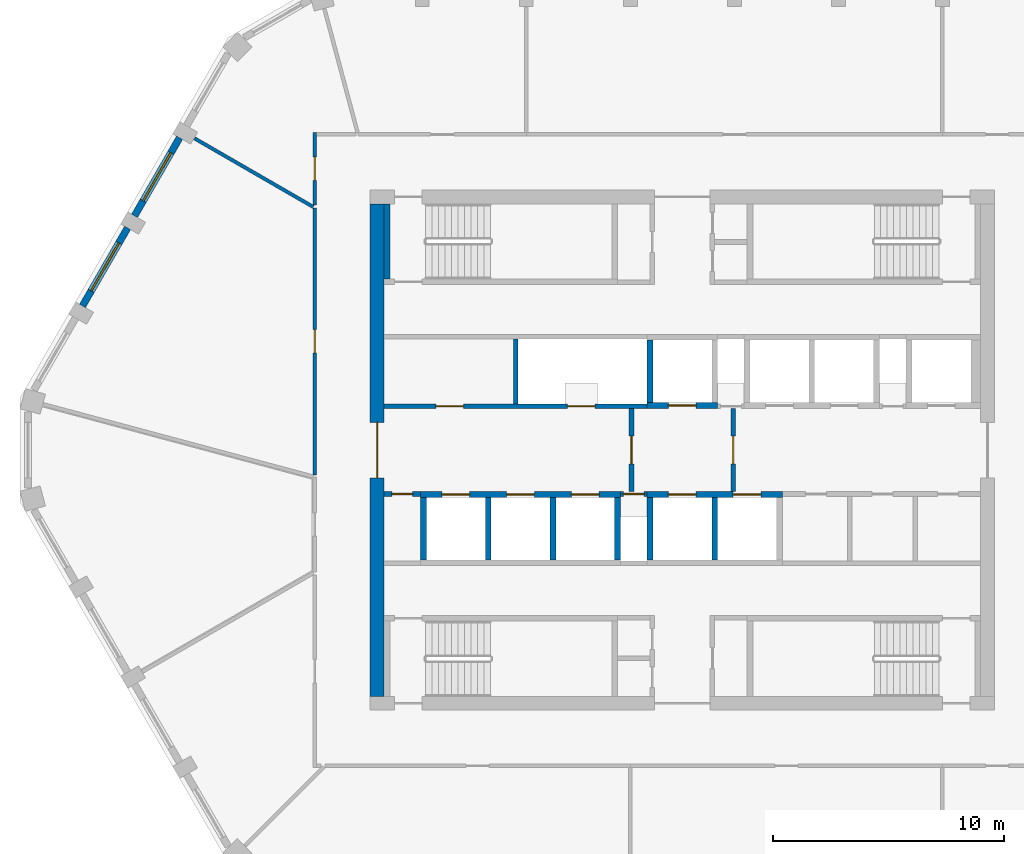
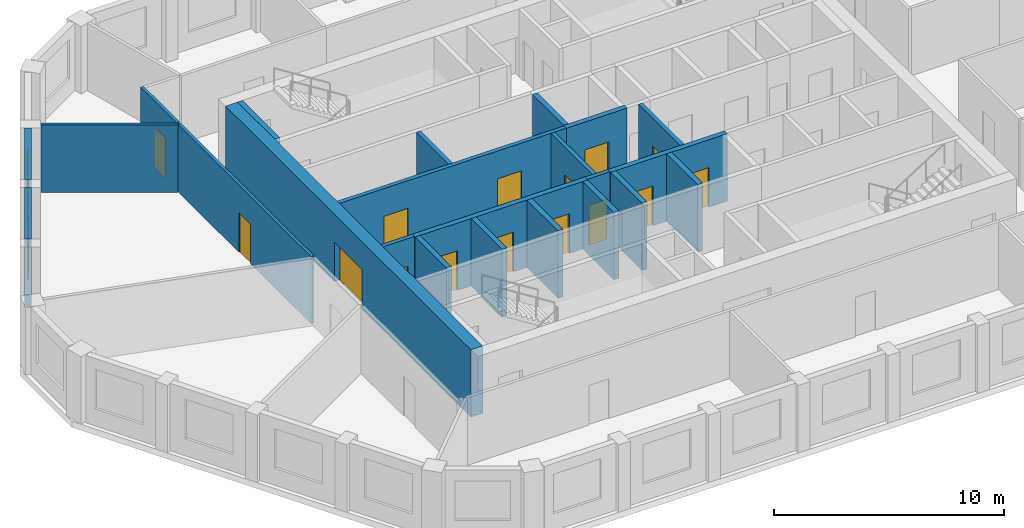
# One storey, part 3 of 9: 23 walls, 15 doors, 2 windows, 17 openings.
"""IFC4 building model written with IfcOpenShell, lengths in metres."""

from ifc_helpers import new_model, si_unit, direction, frame, frame_2d, origin, place, context, subcontext, project, spatial, polyline, rectangle, outline, extrude, material, layer, layer_set, type_object, element, fill, save


model = new_model("IFC4")

# Units and contexts
model_context = context("Model", 3, precision=1e-05, world=origin(), true_north=direction((0.0, 1.0)))
body_context = subcontext(model_context, "Body", "Model", "MODEL_VIEW")
ifc_project = project(units=[si_unit("LENGTHUNIT", "METRE"), si_unit("AREAUNIT", "SQUARE_METRE"), si_unit("VOLUMEUNIT", "CUBIC_METRE"), si_unit("PLANEANGLEUNIT", "RADIAN"), si_unit("MASSUNIT", "GRAM", prefix="KILO")], contexts=[model_context])

# Site, building, storey
site_placement = place(None, origin())
site = spatial("IfcSite", under=ifc_project, at=site_placement, CompositionType="ELEMENT")
building_placement = place(site_placement, origin())
building = spatial("IfcBuilding", under=site, at=building_placement, Name="Dhurran Vertical Campus", CompositionType="ELEMENT")
storey_placement = place(building_placement, frame((0.0, 0.0, 294.300048828125)))
storey = spatial("IfcBuildingStorey", under=building, at=storey_placement, Name="L73", CompositionType="ELEMENT", Elevation=294.300048828125)

# Wall, opening, window
ifc_material_1 = material(Name="Precast concrete C50/60", Category="concrete")
ifc_layer_1 = layer(ifc_material_1, 0.300048828125)
ifc_layer_set_1 = layer_set([ifc_layer_1], Name="Precast concrete C50/60")
wall_type_1 = type_object("IfcWallType", Name="Precast spandrel wall 300", PredefinedType="SOLIDWALL", material=ifc_layer_set_1)
wall_1_placement = place(storey_placement, frame((-21.744384765625, 13.506103515625, 0.0), z_axis=(0.0, 0.0, 1.0), x_axis=(-0.499984428715, -0.866034393683, 0.0)))
wall_1 = element("IfcWall", 1, at=wall_1_placement, inside=storey, type_object=wall_type_1, Name="EW1 L73.27", PredefinedType="SOLIDWALL", context=body_context, shape_type="SweptSolid", body=[
    extrude(rectangle(XDim=3.89892578125, YDim=0.300048828125, at=frame_2d((1.949462890625, 0.0))), origin(), (0.0, 0.0, 1.0), 3.574951171875),
])
opening_1_placement = place(wall_1_placement, frame((0.74951171875, 0.0, 0.89990234375)))
opening_1 = element("IfcOpeningElement", 2, at=opening_1_placement, cuts=wall_1, Name="Opening WT1", PredefinedType="OPENING", context=body_context, shape_type="SweptSolid", body=[
    extrude(rectangle(XDim=2.39990234375, YDim=2.10009765625, at=frame_2d((1.199951171875, 1.050048828125))), frame((0.0, 0.159912109375, 0.0), z_axis=(0.0, -1.0, 0.0), x_axis=(1.0, 0.0, 0.0)), (0.0, 0.0, 1.0), 0.320068359375),
])
ifc_material_2 = material(Name="Aluminium frame with solar-control glass", Category="aluminium")
window_type = type_object("IfcWindowType", Name="Punched window 2400 x 2100", PartitioningType="SINGLE_PANEL", PredefinedType="WINDOW", material=ifc_material_2)
window_1_placement = place(opening_1_placement, origin())
window_1 = element("IfcWindow", 3, at=window_1_placement, inside=storey, type_object=window_type, Name="WT1 L73.27", OverallHeight=2.10009765625, OverallWidth=2.39990234375, PartitioningType="SINGLE_PANEL", PredefinedType="WINDOW", context=body_context, shape_type="SweptSolid", body=[
    extrude(rectangle(XDim=2.39990234375, YDim=2.10009765625, at=frame_2d((1.199951171875, 1.050048828125))), frame((0.0, 0.030029296875, 0.0), z_axis=(0.0, -1.0, 0.0), x_axis=(1.0, 0.0, 0.0)), (0.0, 0.0, 1.0), 0.06005859375),
])
fill(opening_1, window_1)

wall_2_placement = place(storey_placement, frame((-23.994384765625, 9.60888671875, 0.0), z_axis=(0.0, 0.0, 1.0), x_axis=(-0.500011542666, -0.866018739521, 0.0)))
wall_2 = element("IfcWall", 4, at=wall_2_placement, inside=storey, type_object=wall_type_1, Name="EW1 L73.28", PredefinedType="SOLIDWALL", context=body_context, shape_type="SweptSolid", body=[
    extrude(rectangle(XDim=3.89892578125, YDim=0.300048828125, at=frame_2d((1.949462890625, 0.0))), origin(), (0.0, 0.0, 1.0), 3.574951171875),
])
opening_2_placement = place(wall_2_placement, frame((0.74951171875, 0.0, 0.89990234375)))
opening_2 = element("IfcOpeningElement", 5, at=opening_2_placement, cuts=wall_2, Name="Opening WT1", PredefinedType="OPENING", context=body_context, shape_type="SweptSolid", body=[
    extrude(rectangle(XDim=2.39990234375, YDim=2.10009765625, at=frame_2d((1.199951171875, 1.050048828125))), frame((0.0, 0.159912109375, 0.0), z_axis=(0.0, -1.0, 0.0), x_axis=(1.0, 0.0, 0.0)), (0.0, 0.0, 1.0), 0.320068359375),
])
window_2_placement = place(opening_2_placement, origin())
window_2 = element("IfcWindow", 6, at=window_2_placement, inside=storey, type_object=window_type, Name="WT1 L73.28", OverallHeight=2.10009765625, OverallWidth=2.39990234375, PartitioningType="SINGLE_PANEL", PredefinedType="WINDOW", context=body_context, shape_type="SweptSolid", body=[
    extrude(rectangle(XDim=2.39990234375, YDim=2.10009765625, at=frame_2d((1.199951171875, 1.050048828125))), frame((0.0, 0.030029296875, 0.0), z_axis=(0.0, -1.0, 0.0), x_axis=(1.0, 0.0, 0.0)), (0.0, 0.0, 1.0), 0.06005859375),
])
fill(opening_2, window_2)

# Wall, opening, door
ifc_material_3 = material(Name="Concrete C50/60", Category="concrete")
ifc_layer_2 = layer(ifc_material_3, 0.60009765625)
ifc_layer_set_2 = layer_set([ifc_layer_2], Name="Concrete C50/60")
wall_type_2 = type_object("IfcWallType", Name="co-CORE-WALL-C2-600", PredefinedType="SHEAR", material=ifc_layer_set_2)
wall_3_placement = place(storey_placement, frame((-13.199951171875, -10.64990234375, 0.0), z_axis=(0.0, 0.0, 1.0), x_axis=(0.0, 1.0, 0.0)))
wall_3 = element("IfcWall", 7, at=wall_3_placement, inside=storey, type_object=wall_type_2, Name="Core wall W L73", PredefinedType="SHEAR", context=body_context, shape_type="SweptSolid", body=[
    extrude(rectangle(XDim=21.2998046875, YDim=0.60009765625, at=frame_2d((10.64990234375, 0.0))), origin(), (0.0, 0.0, 1.0), 3.574951171875),
])
opening_3_placement = place(wall_3_placement, frame((9.449951171875, 0.0, 0.0)))
opening_3 = element("IfcOpeningElement", 8, at=opening_3_placement, cuts=wall_3, Name="Opening CL1", PredefinedType="OPENING", context=body_context, shape_type="SweptSolid", body=[
    extrude(rectangle(XDim=2.39990234375, YDim=2.10009765625, at=frame_2d((1.199951171875, 1.050048828125))), frame((0.0, 0.31005859375, 0.0), z_axis=(0.0, -1.0, 0.0), x_axis=(1.0, 0.0, 0.0)), (0.0, 0.0, 1.0), 0.6201171875),
])
ifc_material_4 = material(Name="Fire-rated glazed door set")
door_type_1 = type_object("IfcDoorType", Name="co-D-LOBBY 2400x2100", OperationType="DOUBLE_DOOR_DOUBLE_SWING", PredefinedType="DOOR", material=ifc_material_4)
door_1_placement = place(opening_3_placement, origin())
door_1 = element("IfcDoor", 9, at=door_1_placement, inside=storey, type_object=door_type_1, Name="Lift lobby door W L73", OperationType="DOUBLE_DOOR_DOUBLE_SWING", OverallHeight=2.10009765625, OverallWidth=2.39990234375, PredefinedType="DOOR", context=body_context, shape_type="SweptSolid", body=[
    extrude(rectangle(XDim=2.39990234375, YDim=2.10009765625, at=frame_2d((1.199951171875, 1.050048828125))), frame((0.0, 0.02490234375, 0.0), z_axis=(0.0, -1.0, 0.0), x_axis=(1.0, 0.0, 0.0)), (0.0, 0.0, 1.0), 0.050048828125),
])
fill(opening_3, door_1)

ifc_material_5 = material(Name="Fire-rated masonry blockwork", Category="masonry")
ifc_layer_3 = layer(ifc_material_5, 0.199951171875)
ifc_layer_set_3 = layer_set([ifc_layer_3], Name="Fire-rated masonry blockwork")
wall_type_3 = type_object("IfcWallType", Name="co-FIRE-PARTITION-200", PredefinedType="PARTITIONING", material=ifc_layer_set_3)
wall_4_placement = place(storey_placement, frame((-2.199951171875, -1.800048828125, 0.0), z_axis=(0.0, 0.0, 1.0), x_axis=(0.0, 1.0, 0.0)))
wall_4 = element("IfcWall", 10, at=wall_4_placement, inside=storey, type_object=wall_type_3, Name="Firefighting lobby wall W L73", PredefinedType="PARTITIONING", context=body_context, shape_type="SweptSolid", body=[
    extrude(rectangle(XDim=3.60009765625, YDim=0.199951171875, at=frame_2d((1.800048828125, 0.0))), origin(), (0.0, 0.0, 1.0), 3.574951171875),
])
opening_4_placement = place(wall_4_placement, frame((1.199951171875, 0.0, 0.0)))
opening_4 = element("IfcOpeningElement", 11, at=opening_4_placement, cuts=wall_4, Name="Opening FL1", PredefinedType="OPENING", context=body_context, shape_type="SweptSolid", body=[
    extrude(rectangle(XDim=1.199951171875, YDim=2.10009765625, at=frame_2d((0.60009765625, 1.050048828125))), frame((0.0, 0.10986328125, 0.0), z_axis=(0.0, -1.0, 0.0), x_axis=(1.0, 0.0, 0.0)), (0.0, 0.0, 1.0), 0.219970703125),
])
ifc_material_6 = material(Name="Fire-rated steel door set", Category="steel")
door_type_2 = type_object("IfcDoorType", Name="co-D-FFLOBBY 1200x2100", OperationType="SINGLE_SWING_LEFT", PredefinedType="DOOR", material=ifc_material_6)
door_2_placement = place(opening_4_placement, origin())
door_2 = element("IfcDoor", 12, at=door_2_placement, inside=storey, type_object=door_type_2, Name="Firefighting lobby door W L73", OperationType="SINGLE_SWING_LEFT", OverallHeight=2.10009765625, OverallWidth=1.199951171875, PredefinedType="DOOR", context=body_context, shape_type="SweptSolid", body=[
    extrude(rectangle(XDim=1.199951171875, YDim=2.10009765625, at=frame_2d((0.60009765625, 1.050048828125))), frame((0.0, 0.02490234375, 0.0), z_axis=(0.0, -1.0, 0.0), x_axis=(1.0, 0.0, 0.0)), (0.0, 0.0, 1.0), 0.050048828125),
])
fill(opening_4, door_2)

wall_5_placement = place(storey_placement, frame((2.199951171875, -1.800048828125, 0.0), z_axis=(0.0, 0.0, 1.0), x_axis=(0.0, 1.0, 0.0)))
wall_5 = element("IfcWall", 13, at=wall_5_placement, inside=storey, type_object=wall_type_3, Name="Firefighting lobby wall E L73", PredefinedType="PARTITIONING", context=body_context, shape_type="SweptSolid", body=[
    extrude(rectangle(XDim=3.60009765625, YDim=0.199951171875, at=frame_2d((1.800048828125, 0.0))), origin(), (0.0, 0.0, 1.0), 3.574951171875),
])
opening_5_placement = place(wall_5_placement, frame((1.199951171875, 0.0, 0.0)))
opening_5 = element("IfcOpeningElement", 14, at=opening_5_placement, cuts=wall_5, Name="Opening FL2", PredefinedType="OPENING", context=body_context, shape_type="SweptSolid", body=[
    extrude(rectangle(XDim=1.199951171875, YDim=2.10009765625, at=frame_2d((0.60009765625, 1.050048828125))), frame((0.0, 0.10986328125, 0.0), z_axis=(0.0, -1.0, 0.0), x_axis=(1.0, 0.0, 0.0)), (0.0, 0.0, 1.0), 0.219970703125),
])
door_3_placement = place(opening_5_placement, origin())
door_3 = element("IfcDoor", 15, at=door_3_placement, inside=storey, type_object=door_type_2, Name="Firefighting lobby door E L73", OperationType="SINGLE_SWING_LEFT", OverallHeight=2.10009765625, OverallWidth=1.199951171875, PredefinedType="DOOR", context=body_context, shape_type="SweptSolid", body=[
    extrude(rectangle(XDim=1.199951171875, YDim=2.10009765625, at=frame_2d((0.60009765625, 1.050048828125))), frame((0.0, 0.02490234375, 0.0), z_axis=(0.0, -1.0, 0.0), x_axis=(1.0, 0.0, 0.0)), (0.0, 0.0, 1.0), 0.050048828125),
])
fill(opening_5, door_3)

# Wall
wall_6_placement = place(storey_placement, frame((-7.21240234375, 2.0, 0.0), z_axis=(0.0, 0.0, 1.0), x_axis=(0.0, 1.0, 0.0)))
element("IfcWall", 16, at=wall_6_placement, inside=storey, type_object=wall_type_3, Name="Core partition fr-N0-cut0 L73", PredefinedType="PARTITIONING", context=body_context, shape_type="SweptSolid", body=[
    extrude(rectangle(XDim=2.800048828125, YDim=0.199951171875, at=frame_2d((1.39990234375, 0.0))), origin(), (0.0, 0.0, 1.0), 3.574951171875),
])

# Wall, openings, doors
wall_7_placement = place(storey_placement, frame((-12.89990234375, 1.89990234375, 0.0), z_axis=(0.0, 0.0, 1.0), x_axis=(1.0, 0.0, 0.0)))
wall_7 = element("IfcWall", 17, at=wall_7_placement, inside=storey, type_object=wall_type_3, Name="Core partition fr-N0-f L73", PredefinedType="PARTITIONING", context=body_context, shape_type="SweptSolid", body=[
    extrude(rectangle(XDim=11.375, YDim=0.199951171875, at=frame_2d((5.6875, 0.0))), origin(), (0.0, 0.0, 1.0), 3.574951171875),
])
opening_6_placement = place(wall_7_placement, frame((2.243896484375, 0.0, 0.0)))
opening_6 = element("IfcOpeningElement", 18, at=opening_6_placement, cuts=wall_7, Name="Opening T21-C7", PredefinedType="OPENING", context=body_context, shape_type="SweptSolid", body=[
    extrude(rectangle(XDim=1.199951171875, YDim=2.10009765625, at=frame_2d((0.60009765625, 1.050048828125))), frame((0.0, 0.10986328125, 0.0), z_axis=(0.0, -1.0, 0.0), x_axis=(1.0, 0.0, 0.0)), (0.0, 0.0, 1.0), 0.219970703125),
])
opening_7_placement = place(wall_7_placement, frame((7.931396484375, 0.0, 0.0)))
opening_7 = element("IfcOpeningElement", 19, at=opening_7_placement, cuts=wall_7, Name="Opening T21-C8", PredefinedType="OPENING", context=body_context, shape_type="SweptSolid", body=[
    extrude(rectangle(XDim=1.199951171875, YDim=2.10009765625, at=frame_2d((0.60009765625, 1.050048828125))), frame((0.0, 0.10986328125, 0.0), z_axis=(0.0, -1.0, 0.0), x_axis=(1.0, 0.0, 0.0)), (0.0, 0.0, 1.0), 0.219970703125),
])
ifc_material_7 = material(Name="Fire-rated steel door set", Category="steel")
door_type_3 = type_object("IfcDoorType", Name="co-D-ROOM-PASSAGE 1200x2100", OperationType="SINGLE_SWING_RIGHT", PredefinedType="DOOR", material=ifc_material_7)
door_4_placement = place(opening_6_placement, origin())
door_4 = element("IfcDoor", 20, at=door_4_placement, inside=storey, type_object=door_type_3, Name="Store door L73", OperationType="SINGLE_SWING_RIGHT", OverallHeight=2.10009765625, OverallWidth=1.199951171875, PredefinedType="DOOR", context=body_context, shape_type="SweptSolid", body=[
    extrude(rectangle(XDim=1.199951171875, YDim=2.10009765625, at=frame_2d((0.60009765625, 1.050048828125))), frame((0.0, 0.02490234375, 0.0), z_axis=(0.0, -1.0, 0.0), x_axis=(1.0, 0.0, 0.0)), (0.0, 0.0, 1.0), 0.050048828125),
])
fill(opening_6, door_4)
door_5_placement = place(opening_7_placement, origin())
door_5 = element("IfcDoor", 21, at=door_5_placement, inside=storey, type_object=door_type_3, Name="Electrical riser door L73", OperationType="SINGLE_SWING_RIGHT", OverallHeight=2.10009765625, OverallWidth=1.199951171875, PredefinedType="DOOR", context=body_context, shape_type="SweptSolid", body=[
    extrude(rectangle(XDim=1.199951171875, YDim=2.10009765625, at=frame_2d((0.60009765625, 1.050048828125))), frame((0.0, 0.02490234375, 0.0), z_axis=(0.0, -1.0, 0.0), x_axis=(1.0, 0.0, 0.0)), (0.0, 0.0, 1.0), 0.050048828125),
])
fill(opening_7, door_5)

# Wall, opening, door
wall_8_placement = place(storey_placement, frame((-12.89990234375, -1.89990234375, 0.0), z_axis=(0.0, 0.0, 1.0), x_axis=(1.0, 0.0, 0.0)))
wall_8 = element("IfcWall", 22, at=wall_8_placement, inside=storey, type_object=wall_type_3, Name="Core partition fr-S0-f L73", PredefinedType="PARTITIONING", context=body_context, shape_type="SweptSolid", body=[
    extrude(rectangle(XDim=1.574951171875, YDim=0.199951171875, at=frame_2d((0.78759765625, 0.0))), origin(), (0.0, 0.0, 1.0), 3.574951171875),
])
opening_8_placement = place(wall_8_placement, frame((0.33740234375, 0.0, 0.0)))
opening_8 = element("IfcOpeningElement", 23, at=opening_8_placement, cuts=wall_8, Name="Opening T21-C11", PredefinedType="OPENING", context=body_context, shape_type="SweptSolid", body=[
    extrude(rectangle(XDim=0.89990234375, YDim=2.10009765625, at=frame_2d((0.449951171875, 1.050048828125))), frame((0.0, 0.10986328125, 0.0), z_axis=(0.0, -1.0, 0.0), x_axis=(1.0, 0.0, 0.0)), (0.0, 0.0, 1.0), 0.219970703125),
])
ifc_material_8 = material(Name="Fire-rated timber door set", Category="wood")
door_type_4 = type_object("IfcDoorType", Name="co-D-ROOM 900x2100", OperationType="SINGLE_SWING_LEFT", PredefinedType="DOOR", material=ifc_material_8)
door_6_placement = place(opening_8_placement, origin())
door_6 = element("IfcDoor", 24, at=door_6_placement, inside=storey, type_object=door_type_4, Name="Cleaner's store door L73", OperationType="SINGLE_SWING_LEFT", OverallHeight=2.10009765625, OverallWidth=0.89990234375, PredefinedType="DOOR", context=body_context, shape_type="SweptSolid", body=[
    extrude(rectangle(XDim=0.89990234375, YDim=2.10009765625, at=frame_2d((0.449951171875, 1.050048828125))), frame((0.0, 0.02490234375, 0.0), z_axis=(0.0, -1.0, 0.0), x_axis=(1.0, 0.0, 0.0)), (0.0, 0.0, 1.0), 0.050048828125),
])
fill(opening_8, door_6)

wall_9_placement = place(storey_placement, frame((-2.675048828125, -1.89990234375, 0.0), z_axis=(0.0, 0.0, 1.0), x_axis=(1.0, 0.0, 0.0)))
wall_9 = element("IfcWall", 25, at=wall_9_placement, inside=storey, type_object=wall_type_3, Name="Core partition fr-S1-f L73", PredefinedType="PARTITIONING", context=body_context, shape_type="SweptSolid", body=[
    extrude(rectangle(XDim=1.150146484375, YDim=0.199951171875, at=frame_2d((0.5751953125, 0.0))), origin(), (0.0, 0.0, 1.0), 3.574951171875),
])
opening_9_placement = place(wall_9_placement, frame((0.125, 0.0, 0.0)))
opening_9 = element("IfcOpeningElement", 26, at=opening_9_placement, cuts=wall_9, Name="Opening T21-C12", PredefinedType="OPENING", context=body_context, shape_type="SweptSolid", body=[
    extrude(rectangle(XDim=0.89990234375, YDim=2.10009765625, at=frame_2d((0.449951171875, 1.050048828125))), frame((0.0, 0.10986328125, 0.0), z_axis=(0.0, -1.0, 0.0), x_axis=(1.0, 0.0, 0.0)), (0.0, 0.0, 1.0), 0.219970703125),
])
door_7_placement = place(opening_9_placement, origin())
door_7 = element("IfcDoor", 27, at=door_7_placement, inside=storey, type_object=door_type_4, Name="Electrical riser door L73", OperationType="SINGLE_SWING_LEFT", OverallHeight=2.10009765625, OverallWidth=0.89990234375, PredefinedType="DOOR", context=body_context, shape_type="SweptSolid", body=[
    extrude(rectangle(XDim=0.89990234375, YDim=2.10009765625, at=frame_2d((0.449951171875, 1.050048828125))), frame((0.0, 0.02490234375, 0.0), z_axis=(0.0, -1.0, 0.0), x_axis=(1.0, 0.0, 0.0)), (0.0, 0.0, 1.0), 0.050048828125),
])
fill(opening_9, door_7)

ifc_material_9 = material(Name="Concrete C50/60", Category="concrete")
ifc_layer_4 = layer(ifc_material_9, 0.25)
ifc_layer_set_4 = layer_set([ifc_layer_4], Name="Concrete C50/60")
wall_type_4 = type_object("IfcWallType", Name="co-SHAFT-FRONT-250", PredefinedType="SHEAR", material=ifc_layer_set_4)
wall_10_placement = place(storey_placement, frame((-1.52490234375, 1.925048828125, 0.0), z_axis=(0.0, 0.0, 1.0), x_axis=(1.0, 0.0, 0.0)))
wall_10 = element("IfcWall", 28, at=wall_10_placement, inside=storey, type_object=wall_type_4, Name="Lift landing wall N L73", PredefinedType="SHEAR", context=body_context, shape_type="SweptSolid", body=[
    extrude(rectangle(XDim=3.0498046875, YDim=0.25, at=frame_2d((1.52490234375, 0.0))), origin(), (0.0, 0.0, 1.0), 3.574951171875),
])
opening_10_placement = place(wall_10_placement, frame((0.925048828125, 0.0, 0.0)))
opening_10 = element("IfcOpeningElement", 29, at=opening_10_placement, cuts=wall_10, Name="Opening LD", PredefinedType="OPENING", context=body_context, shape_type="SweptSolid", body=[
    extrude(rectangle(XDim=1.199951171875, YDim=2.10009765625, at=frame_2d((0.60009765625, 1.050048828125))), frame((0.0, 0.135009765625, 0.0), z_axis=(0.0, -1.0, 0.0), x_axis=(1.0, 0.0, 0.0)), (0.0, 0.0, 1.0), 0.27001953125),
])
ifc_material_10 = material(Name="Stainless steel landing door", Category="steel")
door_type_5 = type_object("IfcDoorType", Name="co-D-LANDING 1200x2100", OperationType="DOUBLE_DOOR_SLIDING", PredefinedType="DOOR", material=ifc_material_10)
door_8_placement = place(opening_10_placement, origin())
door_8 = element("IfcDoor", 30, at=door_8_placement, inside=storey, type_object=door_type_5, Name="Landing door FF1 L73", OperationType="DOUBLE_DOOR_SLIDING", OverallHeight=2.10009765625, OverallWidth=1.199951171875, PredefinedType="DOOR", context=body_context, shape_type="SweptSolid", body=[
    extrude(rectangle(XDim=1.199951171875, YDim=2.10009765625, at=frame_2d((0.60009765625, 1.050048828125))), frame((0.0, 0.02490234375, 0.0), z_axis=(0.0, -1.0, 0.0), x_axis=(1.0, 0.0, 0.0)), (0.0, 0.0, 1.0), 0.050048828125),
])
fill(opening_10, door_8)

# Wall, openings, doors
wall_11_placement = place(storey_placement, frame((-11.324951171875, -1.925048828125, 0.0), z_axis=(0.0, 0.0, 1.0), x_axis=(1.0, 0.0, 0.0)))
wall_11 = element("IfcWall", 31, at=wall_11_placement, inside=storey, type_object=wall_type_4, Name="Lift landing wall S L73", PredefinedType="SHEAR", context=body_context, shape_type="SweptSolid", body=[
    extrude(rectangle(XDim=8.64990234375, YDim=0.25, at=frame_2d((4.324951171875, 0.0))), origin(), (0.0, 0.0, 1.0), 3.574951171875),
])
opening_11_placement = place(wall_11_placement, frame((0.925048828125, 0.0, 0.0)))
opening_11 = element("IfcOpeningElement", 32, at=opening_11_placement, cuts=wall_11, Name="Opening LD", PredefinedType="OPENING", context=body_context, shape_type="SweptSolid", body=[
    extrude(rectangle(XDim=1.199951171875, YDim=2.10009765625, at=frame_2d((0.60009765625, 1.050048828125))), frame((0.0, 0.135009765625, 0.0), z_axis=(0.0, -1.0, 0.0), x_axis=(1.0, 0.0, 0.0)), (0.0, 0.0, 1.0), 0.27001953125),
])
opening_12_placement = place(wall_11_placement, frame((3.72509765625, 0.0, 0.0)))
opening_12 = element("IfcOpeningElement", 33, at=opening_12_placement, cuts=wall_11, Name="Opening LD", PredefinedType="OPENING", context=body_context, shape_type="SweptSolid", body=[
    extrude(rectangle(XDim=1.199951171875, YDim=2.10009765625, at=frame_2d((0.60009765625, 1.050048828125))), frame((0.0, 0.135009765625, 0.0), z_axis=(0.0, -1.0, 0.0), x_axis=(1.0, 0.0, 0.0)), (0.0, 0.0, 1.0), 0.27001953125),
])
opening_13_placement = place(wall_11_placement, frame((6.52490234375, 0.0, 0.0)))
opening_13 = element("IfcOpeningElement", 34, at=opening_13_placement, cuts=wall_11, Name="Opening LD", PredefinedType="OPENING", context=body_context, shape_type="SweptSolid", body=[
    extrude(rectangle(XDim=1.199951171875, YDim=2.10009765625, at=frame_2d((0.60009765625, 1.050048828125))), frame((0.0, 0.135009765625, 0.0), z_axis=(0.0, -1.0, 0.0), x_axis=(1.0, 0.0, 0.0)), (0.0, 0.0, 1.0), 0.27001953125),
])
door_9_placement = place(opening_11_placement, origin())
door_9 = element("IfcDoor", 35, at=door_9_placement, inside=storey, type_object=door_type_5, Name="Landing door HR3 L73", OperationType="DOUBLE_DOOR_SLIDING", OverallHeight=2.10009765625, OverallWidth=1.199951171875, PredefinedType="DOOR", context=body_context, shape_type="SweptSolid", body=[
    extrude(rectangle(XDim=1.199951171875, YDim=2.10009765625, at=frame_2d((0.60009765625, 1.050048828125))), frame((0.0, 0.02490234375, 0.0), z_axis=(0.0, -1.0, 0.0), x_axis=(1.0, 0.0, 0.0)), (0.0, 0.0, 1.0), 0.050048828125),
])
fill(opening_11, door_9)
door_10_placement = place(opening_12_placement, origin())
door_10 = element("IfcDoor", 36, at=door_10_placement, inside=storey, type_object=door_type_5, Name="Landing door HR4 L73", OperationType="DOUBLE_DOOR_SLIDING", OverallHeight=2.10009765625, OverallWidth=1.199951171875, PredefinedType="DOOR", context=body_context, shape_type="SweptSolid", body=[
    extrude(rectangle(XDim=1.199951171875, YDim=2.10009765625, at=frame_2d((0.60009765625, 1.050048828125))), frame((0.0, 0.02490234375, 0.0), z_axis=(0.0, -1.0, 0.0), x_axis=(1.0, 0.0, 0.0)), (0.0, 0.0, 1.0), 0.050048828125),
])
fill(opening_12, door_10)
door_11_placement = place(opening_13_placement, origin())
door_11 = element("IfcDoor", 37, at=door_11_placement, inside=storey, type_object=door_type_5, Name="Landing door HR5 L73", OperationType="DOUBLE_DOOR_SLIDING", OverallHeight=2.10009765625, OverallWidth=1.199951171875, PredefinedType="DOOR", context=body_context, shape_type="SweptSolid", body=[
    extrude(rectangle(XDim=1.199951171875, YDim=2.10009765625, at=frame_2d((0.60009765625, 1.050048828125))), frame((0.0, 0.02490234375, 0.0), z_axis=(0.0, -1.0, 0.0), x_axis=(1.0, 0.0, 0.0)), (0.0, 0.0, 1.0), 0.050048828125),
])
fill(opening_13, door_11)

wall_12_placement = place(storey_placement, frame((-1.52490234375, -1.925048828125, 0.0), z_axis=(0.0, 0.0, 1.0), x_axis=(1.0, 0.0, 0.0)))
wall_12 = element("IfcWall", 38, at=wall_12_placement, inside=storey, type_object=wall_type_4, Name="Lift landing wall S L73", PredefinedType="SHEAR", context=body_context, shape_type="SweptSolid", body=[
    extrude(rectangle(XDim=5.849853515625, YDim=0.25, at=frame_2d((2.9248046875, 0.0))), origin(), (0.0, 0.0, 1.0), 3.574951171875),
])
opening_14_placement = place(wall_12_placement, frame((0.925048828125, 0.0, 0.0)))
opening_14 = element("IfcOpeningElement", 39, at=opening_14_placement, cuts=wall_12, Name="Opening LD", PredefinedType="OPENING", context=body_context, shape_type="SweptSolid", body=[
    extrude(rectangle(XDim=1.199951171875, YDim=2.10009765625, at=frame_2d((0.60009765625, 1.050048828125))), frame((0.0, 0.135009765625, 0.0), z_axis=(0.0, -1.0, 0.0), x_axis=(1.0, 0.0, 0.0)), (0.0, 0.0, 1.0), 0.27001953125),
])
opening_15_placement = place(wall_12_placement, frame((3.72509765625, 0.0, 0.0)))
opening_15 = element("IfcOpeningElement", 40, at=opening_15_placement, cuts=wall_12, Name="Opening LD", PredefinedType="OPENING", context=body_context, shape_type="SweptSolid", body=[
    extrude(rectangle(XDim=1.199951171875, YDim=2.10009765625, at=frame_2d((0.60009765625, 1.050048828125))), frame((0.0, 0.135009765625, 0.0), z_axis=(0.0, -1.0, 0.0), x_axis=(1.0, 0.0, 0.0)), (0.0, 0.0, 1.0), 0.27001953125),
])
door_12_placement = place(opening_14_placement, origin())
door_12 = element("IfcDoor", 41, at=door_12_placement, inside=storey, type_object=door_type_5, Name="Landing door FF2 L73", OperationType="DOUBLE_DOOR_SLIDING", OverallHeight=2.10009765625, OverallWidth=1.199951171875, PredefinedType="DOOR", context=body_context, shape_type="SweptSolid", body=[
    extrude(rectangle(XDim=1.199951171875, YDim=2.10009765625, at=frame_2d((0.60009765625, 1.050048828125))), frame((0.0, 0.02490234375, 0.0), z_axis=(0.0, -1.0, 0.0), x_axis=(1.0, 0.0, 0.0)), (0.0, 0.0, 1.0), 0.050048828125),
])
fill(opening_14, door_12)
door_13_placement = place(opening_15_placement, origin())
door_13 = element("IfcDoor", 42, at=door_13_placement, inside=storey, type_object=door_type_5, Name="Landing door SV1 L73", OperationType="DOUBLE_DOOR_SLIDING", OverallHeight=2.10009765625, OverallWidth=1.199951171875, PredefinedType="DOOR", context=body_context, shape_type="SweptSolid", body=[
    extrude(rectangle(XDim=1.199951171875, YDim=2.10009765625, at=frame_2d((0.60009765625, 1.050048828125))), frame((0.0, 0.02490234375, 0.0), z_axis=(0.0, -1.0, 0.0), x_axis=(1.0, 0.0, 0.0)), (0.0, 0.0, 1.0), 0.050048828125),
])
fill(opening_15, door_13)

# Walls
ifc_material_11 = material(Name="Concrete C50/60", Category="concrete")
ifc_layer_5 = layer(ifc_material_11, 0.25)
ifc_layer_set_5 = layer_set([ifc_layer_5], Name="Concrete C50/60")
wall_type_5 = type_object("IfcWallType", Name="co-SHAFT-MASS-250", PredefinedType="SHEAR", material=ifc_layer_set_5)
wall_13_placement = place(storey_placement, origin())
element("IfcWall", 43, at=wall_13_placement, inside=storey, type_object=wall_type_5, Name="Lift shaft wall N L73 4", PredefinedType="SHEAR", context=body_context, shape_type="SweptSolid", body=[
    extrude(outline(polyline([(-1.52490234375, 2.050048828125), (-1.27490234375, 2.050048828125), (-1.27490234375, 4.75), (-1.52490234375, 4.75), (-1.52490234375, 2.050048828125)])), origin(), (0.0, 0.0, 1.0), 3.574951171875),
])
wall_14_placement = place(storey_placement, origin())
element("IfcWall", 44, at=wall_14_placement, inside=storey, type_object=wall_type_5, Name="Lift shaft wall S L73 3", PredefinedType="SHEAR", context=body_context, shape_type="SweptSolid", body=[
    extrude(outline(polyline([(-11.324951171875, -4.75), (-11.074951171875, -4.75), (-11.074951171875, -2.050048828125), (-11.324951171875, -2.050048828125), (-11.324951171875, -4.75)])), origin(), (0.0, 0.0, 1.0), 3.574951171875),
])
wall_15_placement = place(storey_placement, origin())
element("IfcWall", 45, at=wall_15_placement, inside=storey, type_object=wall_type_5, Name="Lift shaft wall S L73 4", PredefinedType="SHEAR", context=body_context, shape_type="SweptSolid", body=[
    extrude(outline(polyline([(-8.52490234375, -4.75), (-8.27490234375, -4.75), (-8.27490234375, -2.050048828125), (-8.52490234375, -2.050048828125), (-8.52490234375, -4.75)])), origin(), (0.0, 0.0, 1.0), 3.574951171875),
])
wall_16_placement = place(storey_placement, origin())
element("IfcWall", 46, at=wall_16_placement, inside=storey, type_object=wall_type_5, Name="Lift shaft wall S L73 5", PredefinedType="SHEAR", context=body_context, shape_type="SweptSolid", body=[
    extrude(outline(polyline([(-5.72509765625, -4.75), (-5.47509765625, -4.75), (-5.47509765625, -2.050048828125), (-5.72509765625, -2.050048828125), (-5.72509765625, -4.75)])), origin(), (0.0, 0.0, 1.0), 3.574951171875),
])
wall_17_placement = place(storey_placement, origin())
element("IfcWall", 47, at=wall_17_placement, inside=storey, type_object=wall_type_5, Name="Lift shaft wall S L73 6", PredefinedType="SHEAR", context=body_context, shape_type="SweptSolid", body=[
    extrude(outline(polyline([(-2.925048828125, -4.75), (-2.675048828125, -4.75), (-2.675048828125, -2.050048828125), (-2.925048828125, -2.050048828125), (-2.925048828125, -4.75)])), origin(), (0.0, 0.0, 1.0), 3.574951171875),
])
wall_18_placement = place(storey_placement, origin())
element("IfcWall", 48, at=wall_18_placement, inside=storey, type_object=wall_type_5, Name="Lift shaft wall S L73 7", PredefinedType="SHEAR", context=body_context, shape_type="SweptSolid", body=[
    extrude(outline(polyline([(-1.52490234375, -4.75), (-1.27490234375, -4.75), (-1.27490234375, -2.050048828125), (-1.52490234375, -2.050048828125), (-1.52490234375, -4.75)])), origin(), (0.0, 0.0, 1.0), 3.574951171875),
])
wall_19_placement = place(storey_placement, origin())
element("IfcWall", 49, at=wall_19_placement, inside=storey, type_object=wall_type_5, Name="Lift shaft wall S L73 8", PredefinedType="SHEAR", context=body_context, shape_type="SweptSolid", body=[
    extrude(outline(polyline([(1.27490234375, -4.75), (1.52490234375, -4.75), (1.52490234375, -2.050048828125), (1.27490234375, -2.050048828125), (1.27490234375, -4.75)])), origin(), (0.0, 0.0, 1.0), 3.574951171875),
])
ifc_material_12 = material(Name="Concrete C40/50", Category="concrete")
ifc_layer_6 = layer(ifc_material_12, 0.25)
ifc_layer_set_6 = layer_set([ifc_layer_6], Name="Concrete C40/50")
wall_type_6 = type_object("IfcWallType", Name="co-STAIR-WALL-250", PredefinedType="SHEAR", material=ifc_layer_set_6)
wall_20_placement = place(storey_placement, frame((-12.77490234375, 7.39990234375, 0.0), z_axis=(0.0, 0.0, 1.0), x_axis=(0.0, 1.0, 0.0)))
element("IfcWall", 50, at=wall_20_placement, inside=storey, type_object=wall_type_6, Name="Stair ST1 enclosure wall L73", PredefinedType="SHEAR", context=body_context, shape_type="SweptSolid", body=[
    extrude(rectangle(XDim=3.25, YDim=0.25, at=frame_2d((1.625, 0.0))), origin(), (0.0, 0.0, 1.0), 3.574951171875),
])

# Wall, opening, door
ifc_material_13 = material(Name="Gypsum board corridor wall on steel studs", Category="steel")
ifc_layer_7 = layer(ifc_material_13, 0.14990234375)
ifc_layer_set_7 = layer_set([ifc_layer_7], Name="Gypsum board corridor wall on steel studs")
wall_type_7 = type_object("IfcWallType", Name="fl-CW-150 corridor wall", PredefinedType="PARTITIONING", material=ifc_layer_set_7)
wall_21_placement = place(storey_placement, frame((-15.89990234375, 10.47900390625, 0.0), z_axis=(0.0, 0.0, 1.0), x_axis=(0.0, -1.0, 0.0)))
wall_21 = element("IfcWall", 51, at=wall_21_placement, inside=storey, type_object=wall_type_7, Name="Partition 73-08", PredefinedType="PARTITIONING", context=body_context, shape_type="SweptSolid", body=[
    extrude(rectangle(XDim=11.550048828125, YDim=0.14990234375, at=frame_2d((5.77490234375, 0.0))), origin(), (0.0, 0.0, 1.0), 3.574951171875),
])
opening_16_placement = place(wall_21_placement, frame((5.27490234375, 0.0, 0.0)))
opening_16 = element("IfcOpeningElement", 52, at=opening_16_placement, cuts=wall_21, Name="Opening T21.02", PredefinedType="OPENING", context=body_context, shape_type="SweptSolid", body=[
    extrude(rectangle(XDim=1.0, YDim=2.10009765625, at=frame_2d((0.5, 1.050048828125))), frame((0.0, 0.0849609375, 0.0), z_axis=(0.0, -1.0, 0.0), x_axis=(1.0, 0.0, 0.0)), (0.0, 0.0, 1.0), 0.169921875),
])
ifc_material_14 = material(Name="Solid-core timber door set, fire-rated", Category="wood")
door_type_6 = type_object("IfcDoorType", Name="fl-D-1000x2100", OperationType="SINGLE_SWING_LEFT", PredefinedType="DOOR", material=ifc_material_14)
door_14_placement = place(opening_16_placement, origin())
door_14 = element("IfcDoor", 53, at=door_14_placement, inside=storey, type_object=door_type_6, Name="Door 73.02", OperationType="SINGLE_SWING_RIGHT", OverallHeight=2.10009765625, OverallWidth=1.0, PredefinedType="DOOR", context=body_context, shape_type="SweptSolid", body=[
    extrude(rectangle(XDim=1.0, YDim=2.10009765625, at=frame_2d((0.5, 1.050048828125))), frame((0.0, 0.02490234375, 0.0), z_axis=(0.0, -1.0, 0.0), x_axis=(1.0, 0.0, 0.0)), (0.0, 0.0, 1.0), 0.050048828125),
])
fill(opening_16, door_14)

wall_22_placement = place(storey_placement, frame((-15.89990234375, 13.72509765625, 0.0), z_axis=(0.0, 0.0, 1.0), x_axis=(0.0, -1.0, 0.0)))
wall_22 = element("IfcWall", 54, at=wall_22_placement, inside=storey, type_object=wall_type_7, Name="Partition 73-09", PredefinedType="PARTITIONING", context=body_context, shape_type="SweptSolid", body=[
    extrude(rectangle(XDim=3.1162109375, YDim=0.14990234375, at=frame_2d((1.55810546875, 0.0))), origin(), (0.0, 0.0, 1.0), 3.574951171875),
])
opening_17_placement = place(wall_22_placement, frame((1.05810546875, 0.0, 0.0)))
opening_17 = element("IfcOpeningElement", 55, at=opening_17_placement, cuts=wall_22, Name="Opening T21.04", PredefinedType="OPENING", context=body_context, shape_type="SweptSolid", body=[
    extrude(rectangle(XDim=1.0, YDim=2.10009765625, at=frame_2d((0.5, 1.050048828125))), frame((0.0, 0.0849609375, 0.0), z_axis=(0.0, -1.0, 0.0), x_axis=(1.0, 0.0, 0.0)), (0.0, 0.0, 1.0), 0.169921875),
])
door_15_placement = place(opening_17_placement, origin())
door_15 = element("IfcDoor", 56, at=door_15_placement, inside=storey, type_object=door_type_6, Name="Door 73.04", OperationType="SINGLE_SWING_LEFT", OverallHeight=2.10009765625, OverallWidth=1.0, PredefinedType="DOOR", context=body_context, shape_type="SweptSolid", body=[
    extrude(rectangle(XDim=1.0, YDim=2.10009765625, at=frame_2d((0.5, 1.050048828125))), frame((0.0, 0.02490234375, 0.0), z_axis=(0.0, -1.0, 0.0), x_axis=(1.0, 0.0, 0.0)), (0.0, 0.0, 1.0), 0.050048828125),
])
fill(opening_17, door_15)

# Wall
ifc_material_15 = material(Name="Gypsum board partition on steel studs", Category="steel")
ifc_layer_8 = layer(ifc_material_15, 0.14990234375)
ifc_layer_set_8 = layer_set([ifc_layer_8], Name="Gypsum board partition on steel studs")
wall_type_8 = type_object("IfcWallType", Name="fl-PW-150 fixed partition", PredefinedType="PARTITIONING", material=ifc_layer_set_8)
wall_23_placement = place(storey_placement, frame((-21.100341796875, 13.481201171875, 0.0), z_axis=(0.0, 0.0, 1.0), x_axis=(0.866042974482, -0.499969565424, 0.0)))
element("IfcWall", 57, at=wall_23_placement, inside=storey, type_object=wall_type_8, Name="Partition 73-03", PredefinedType="PARTITIONING", context=body_context, shape_type="SweptSolid", body=[
    extrude(rectangle(XDim=5.929443359375, YDim=0.14990234375, at=frame_2d((2.96484375, 0.0))), origin(), (0.0, 0.0, 1.0), 3.574951171875),
])

save(model, "model.ifc")
